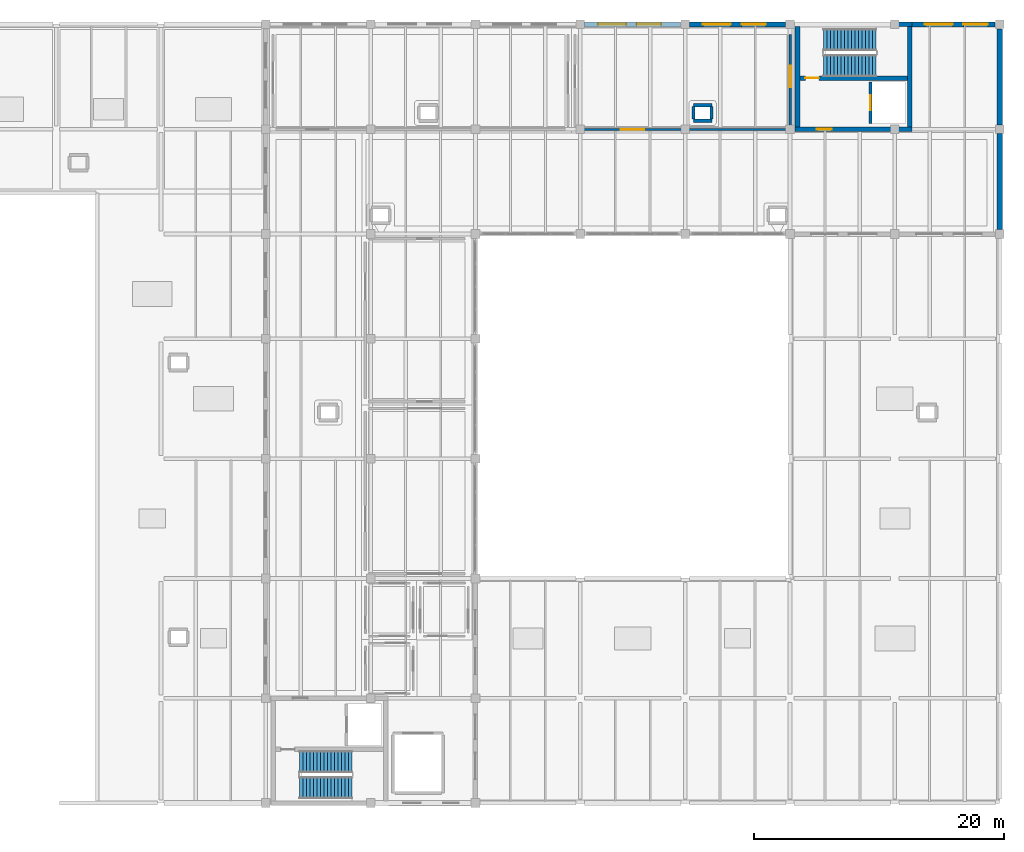
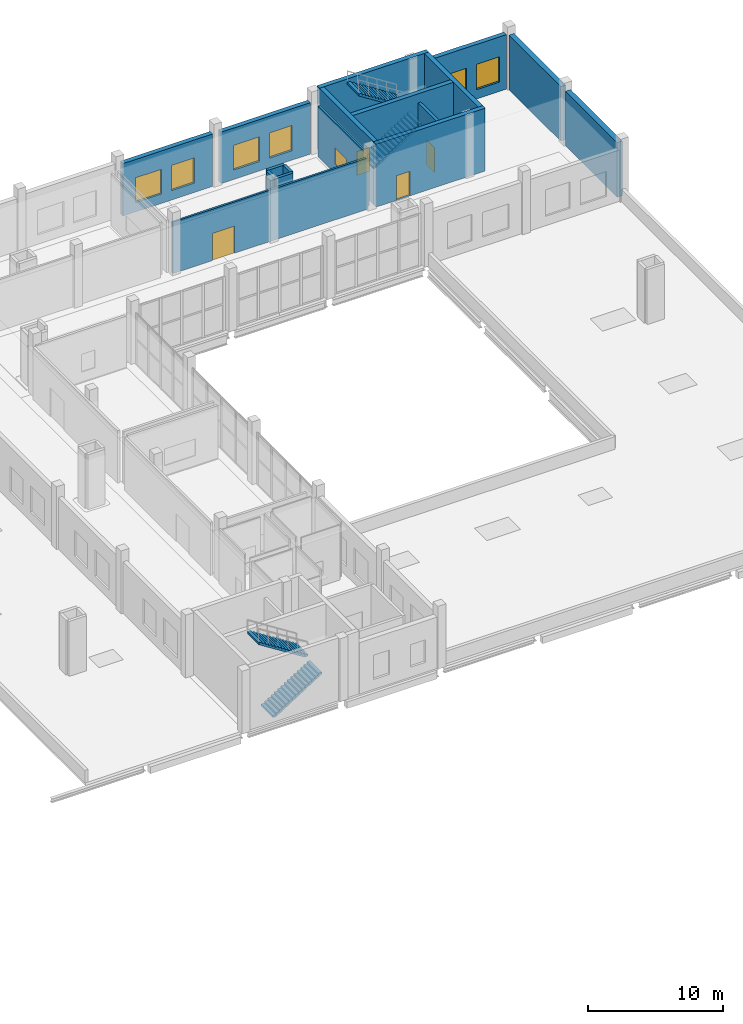
# One storey, part 43 of 49: 17 walls, 7 windows, 4 doors, 4 stair flights, 11 openings, 2 elements without a shape of their own.
"""IFC4 building model written with IfcOpenShell, lengths in metres."""

from ifc_helpers import new_model, si_unit, direction, frame, frame_2d, origin, place, context, subcontext, project, spatial, polyline, rectangle, outline, extrude, material, layer, layer_set, type_object, element, fill, aggregate, save


model = new_model("IFC4")

# Units and contexts
model_context = context("Model", 3, precision=1e-05, world=origin(), true_north=direction((0.0, 1.0)))
body_context = subcontext(model_context, "Body", "Model", "MODEL_VIEW")
ifc_project = project(units=[si_unit("LENGTHUNIT", "METRE"), si_unit("AREAUNIT", "SQUARE_METRE"), si_unit("VOLUMEUNIT", "CUBIC_METRE"), si_unit("PLANEANGLEUNIT", "RADIAN"), si_unit("MASSUNIT", "GRAM", prefix="KILO")], contexts=[model_context])

# Site, building, storey
site_placement = place(None, origin())
site = spatial("IfcSite", under=ifc_project, at=site_placement, CompositionType="ELEMENT")
building_placement = place(site_placement, origin())
building = spatial("IfcBuilding", under=site, at=building_placement, Name="Zulmaris Art Gallery", CompositionType="ELEMENT")
storey_placement = place(building_placement, frame((0.0, 0.0, 20.699951171875)))
storey = spatial("IfcBuildingStorey", under=building, at=storey_placement, Name="L04", CompositionType="ELEMENT", Elevation=20.699951171875)

# Walls
ifc_material_1 = material(Name="Omani Cream Limestone Ashlar Masonry", Category="masonry")
ifc_layer_1 = layer(ifc_material_1, 0.43994140625)
ifc_layer_set_1 = layer_set([ifc_layer_1], Name="Omani Cream Limestone Ashlar Masonry")
wall_type_1 = type_object("IfcWallType", Name="ENV-WALL-EW01", PredefinedType="SOLIDWALL", material=ifc_layer_set_1)
wall_1_placement = place(storey_placement, frame((200.39990234375, 59.152099609375, 0.0), z_axis=(0.0, 0.0, 1.0), x_axis=(0.0, 1.0, 0.0)))
element("IfcWall", 1, at=wall_1_placement, inside=storey, type_object=wall_type_1, Name="L04 V5 East Infill Party Wall", PredefinedType="SOLIDWALL", context=body_context, shape_type="SweptSolid", body=[
    extrude(rectangle(XDim=7.69580078125, YDim=0.43994140625, at=frame_2d((3.847900390625, 0.0))), origin(), (0.0, 0.0, 1.0), 4.949951171875),
])
wall_2_placement = place(storey_placement, frame((200.39990234375, 67.552001953125, 0.0), z_axis=(0.0, 0.0, 1.0), x_axis=(0.0, 1.0, 0.0)))
element("IfcWall", 2, at=wall_2_placement, inside=storey, type_object=wall_type_1, Name="L04 V5 East Infill Party Wall", PredefinedType="SOLIDWALL", context=body_context, shape_type="SweptSolid", body=[
    extrude(rectangle(XDim=7.696044921875, YDim=0.43994140625, at=frame_2d((3.84814453125, 0.0))), origin(), (0.0, 0.0, 1.0), 4.949951171875),
])

# Wall, openings, windows
ifc_material_2 = material(Name="Omani Desert Rose Limestone Cladding Wall", Category="masonry")
ifc_layer_2 = layer(ifc_material_2, 0.389892578125)
ifc_layer_set_2 = layer_set([ifc_layer_2], Name="Omani Desert Rose Limestone Cladding Wall")
wall_type_2 = type_object("IfcWallType", Name="ENV-WALL-EW02", PredefinedType="SOLIDWALL", material=ifc_layer_set_2)
wall_3_placement = place(storey_placement, frame((167.152099609375, 75.60009765625, 0.0), z_axis=(0.0, 0.0, 1.0), x_axis=(1.0, 0.0, 0.0)))
wall_3 = element("IfcWall", 3, at=wall_3_placement, inside=storey, type_object=wall_type_2, Name="L04 V5 North Studio Daylight Facade Bay 4", PredefinedType="SOLIDWALL", context=body_context, shape_type="SweptSolid", body=[
    extrude(rectangle(XDim=7.69580078125, YDim=0.389892578125, at=frame_2d((3.847900390625, 0.0))), origin(), (0.0, 0.0, 1.0), 4.760009765625),
])
opening_1_placement = place(wall_3_placement, frame((1.068115234375, 0.0, 0.85009765625)))
opening_1 = element("IfcOpeningElement", 4, at=opening_1_placement, cuts=wall_3, Name="Opening W09", PredefinedType="OPENING", context=body_context, shape_type="SweptSolid", body=[
    extrude(rectangle(XDim=2.25, YDim=2.25, at=frame_2d((1.125, 1.125))), frame((0.0, 0.204833984375, 0.0), z_axis=(0.0, -1.0, 0.0), x_axis=(1.0, 0.0, 0.0)), (0.0, 0.0, 1.0), 0.409912109375),
])
opening_2_placement = place(wall_3_placement, frame((4.16796875, 0.0, 0.85009765625)))
opening_2 = element("IfcOpeningElement", 5, at=opening_2_placement, cuts=wall_3, Name="Opening W08", PredefinedType="OPENING", context=body_context, shape_type="SweptSolid", body=[
    extrude(rectangle(XDim=1.949951171875, YDim=2.300048828125, at=frame_2d((0.97509765625, 1.14990234375))), frame((0.0, 0.204833984375, 0.0), z_axis=(0.0, -1.0, 0.0), x_axis=(1.0, 0.0, 0.0)), (0.0, 0.0, 1.0), 0.409912109375),
])
ifc_material_3 = material(Name="Curatorial North Studio Window", Category="glass")
window_type_1 = type_object("IfcWindowType", Name="WIN-W08", PartitioningType="SINGLE_PANEL", PredefinedType="WINDOW", material=ifc_material_3)
window_1_placement = place(opening_2_placement, origin())
window_1 = element("IfcWindow", 6, at=window_1_placement, inside=storey, type_object=window_type_1, Name="L04 exterior window W08", OverallHeight=2.300048828125, OverallWidth=1.949951171875, PartitioningType="SINGLE_PANEL", PredefinedType="WINDOW", context=body_context, shape_type="SweptSolid", body=[
    extrude(rectangle(XDim=1.949951171875, YDim=2.300048828125, at=frame_2d((0.97509765625, 1.14990234375))), frame((0.0, 0.030029296875, 0.0), z_axis=(0.0, -1.0, 0.0), x_axis=(1.0, 0.0, 0.0)), (0.0, 0.0, 1.0), 0.06005859375),
])
fill(opening_2, window_1)
ifc_material_4 = material(Name="Fellowship Library Daylight Window", Category="glass")
window_type_2 = type_object("IfcWindowType", Name="WIN-W09", PartitioningType="SINGLE_PANEL", PredefinedType="WINDOW", material=ifc_material_4)
window_2_placement = place(opening_1_placement, origin())
window_2 = element("IfcWindow", 7, at=window_2_placement, inside=storey, type_object=window_type_2, Name="L04 exterior window W09", OverallHeight=2.25, OverallWidth=2.25, PartitioningType="SINGLE_PANEL", PredefinedType="WINDOW", context=body_context, shape_type="SweptSolid", body=[
    extrude(rectangle(XDim=2.25, YDim=2.25, at=frame_2d((1.125, 1.125))), frame((0.0, 0.030029296875, 0.0), z_axis=(0.0, -1.0, 0.0), x_axis=(1.0, 0.0, 0.0)), (0.0, 0.0, 1.0), 0.06005859375),
])
fill(opening_1, window_2)

wall_4_placement = place(storey_placement, frame((175.552001953125, 75.60009765625, 0.0), z_axis=(0.0, 0.0, 1.0), x_axis=(1.0, 0.0, 0.0)))
wall_4 = element("IfcWall", 8, at=wall_4_placement, inside=storey, type_object=wall_type_2, Name="L04 V5 North Studio Daylight Facade Bay 5", PredefinedType="SOLIDWALL", context=body_context, shape_type="SweptSolid", body=[
    extrude(rectangle(XDim=7.696044921875, YDim=0.389892578125, at=frame_2d((3.84814453125, 0.0))), origin(), (0.0, 0.0, 1.0), 4.66015625),
])
opening_3_placement = place(wall_4_placement, frame((1.068115234375, 0.0, 0.85009765625)))
opening_3 = element("IfcOpeningElement", 9, at=opening_3_placement, cuts=wall_4, Name="Opening W09", PredefinedType="OPENING", context=body_context, shape_type="SweptSolid", body=[
    extrude(rectangle(XDim=2.25, YDim=2.25, at=frame_2d((1.125, 1.125))), frame((0.0, 0.204833984375, 0.0), z_axis=(0.0, -1.0, 0.0), x_axis=(1.0, 0.0, 0.0)), (0.0, 0.0, 1.0), 0.409912109375),
])
opening_4_placement = place(wall_4_placement, frame((4.16796875, 0.0, 0.85009765625)))
opening_4 = element("IfcOpeningElement", 10, at=opening_4_placement, cuts=wall_4, Name="Opening W08", PredefinedType="OPENING", context=body_context, shape_type="SweptSolid", body=[
    extrude(rectangle(XDim=1.949951171875, YDim=2.300048828125, at=frame_2d((0.97509765625, 1.14990234375))), frame((0.0, 0.204833984375, 0.0), z_axis=(0.0, -1.0, 0.0), x_axis=(1.0, 0.0, 0.0)), (0.0, 0.0, 1.0), 0.409912109375),
])
window_3_placement = place(opening_4_placement, origin())
window_3 = element("IfcWindow", 11, at=window_3_placement, inside=storey, type_object=window_type_1, Name="L04 exterior window W08", OverallHeight=2.300048828125, OverallWidth=1.949951171875, PartitioningType="SINGLE_PANEL", PredefinedType="WINDOW", context=body_context, shape_type="SweptSolid", body=[
    extrude(rectangle(XDim=1.949951171875, YDim=2.300048828125, at=frame_2d((0.97509765625, 1.14990234375))), frame((0.0, 0.030029296875, 0.0), z_axis=(0.0, -1.0, 0.0), x_axis=(1.0, 0.0, 0.0)), (0.0, 0.0, 1.0), 0.06005859375),
])
fill(opening_4, window_3)
window_4_placement = place(opening_3_placement, origin())
window_4 = element("IfcWindow", 12, at=window_4_placement, inside=storey, type_object=window_type_2, Name="L04 exterior window W09", OverallHeight=2.25, OverallWidth=2.25, PartitioningType="SINGLE_PANEL", PredefinedType="WINDOW", context=body_context, shape_type="SweptSolid", body=[
    extrude(rectangle(XDim=2.25, YDim=2.25, at=frame_2d((1.125, 1.125))), frame((0.0, 0.030029296875, 0.0), z_axis=(0.0, -1.0, 0.0), x_axis=(1.0, 0.0, 0.0)), (0.0, 0.0, 1.0), 0.06005859375),
])
fill(opening_3, window_4)

wall_5_placement = place(storey_placement, frame((193.39208984375, 75.60009765625, 0.0), z_axis=(0.0, 0.0, 1.0), x_axis=(1.0, 0.0, 0.0)))
wall_5 = element("IfcWall", 13, at=wall_5_placement, inside=storey, type_object=wall_type_2, Name="L04 V5 North Studio Daylight Facade Bay 7", PredefinedType="SOLIDWALL", context=body_context, shape_type="SweptSolid", body=[
    extrude(rectangle(XDim=6.656005859375, YDim=0.389892578125, at=frame_2d((3.328125, 0.0))), origin(), (0.0, 0.0, 1.0), 4.949951171875),
])
opening_5_placement = place(wall_5_placement, frame((1.008056640625, 0.0, 0.85009765625)))
opening_5 = element("IfcOpeningElement", 14, at=opening_5_placement, cuts=wall_5, Name="Opening W09", PredefinedType="OPENING", context=body_context, shape_type="SweptSolid", body=[
    extrude(rectangle(XDim=2.25, YDim=2.25, at=frame_2d((1.125, 1.125))), frame((0.0, 0.204833984375, 0.0), z_axis=(0.0, -1.0, 0.0), x_axis=(1.0, 0.0, 0.0)), (0.0, 0.0, 1.0), 0.409912109375),
])
opening_6_placement = place(wall_5_placement, frame((4.10791015625, 0.0, 0.85009765625)))
opening_6 = element("IfcOpeningElement", 15, at=opening_6_placement, cuts=wall_5, Name="Opening W08", PredefinedType="OPENING", context=body_context, shape_type="SweptSolid", body=[
    extrude(rectangle(XDim=1.949951171875, YDim=2.300048828125, at=frame_2d((0.97509765625, 1.14990234375))), frame((0.0, 0.204833984375, 0.0), z_axis=(0.0, -1.0, 0.0), x_axis=(1.0, 0.0, 0.0)), (0.0, 0.0, 1.0), 0.409912109375),
])
window_5_placement = place(opening_6_placement, origin())
window_5 = element("IfcWindow", 16, at=window_5_placement, inside=storey, type_object=window_type_1, Name="L04 exterior window W08", OverallHeight=2.300048828125, OverallWidth=1.949951171875, PartitioningType="SINGLE_PANEL", PredefinedType="WINDOW", context=body_context, shape_type="SweptSolid", body=[
    extrude(rectangle(XDim=1.949951171875, YDim=2.300048828125, at=frame_2d((0.97509765625, 1.14990234375))), frame((0.0, 0.030029296875, 0.0), z_axis=(0.0, -1.0, 0.0), x_axis=(1.0, 0.0, 0.0)), (0.0, 0.0, 1.0), 0.06005859375),
])
fill(opening_6, window_5)
window_6_placement = place(opening_5_placement, origin())
window_6 = element("IfcWindow", 17, at=window_6_placement, inside=storey, type_object=window_type_2, Name="L04 exterior window W09", OverallHeight=2.25, OverallWidth=2.25, PartitioningType="SINGLE_PANEL", PredefinedType="WINDOW", context=body_context, shape_type="SweptSolid", body=[
    extrude(rectangle(XDim=2.25, YDim=2.25, at=frame_2d((1.125, 1.125))), frame((0.0, 0.030029296875, 0.0), z_axis=(0.0, -1.0, 0.0), x_axis=(1.0, 0.0, 0.0)), (0.0, 0.0, 1.0), 0.06005859375),
])
fill(opening_5, window_6)

# Wall, opening, door
ifc_material_5 = material(Name="Acoustic Studio Separation Partition", Category="gypsum")
ifc_layer_3 = layer(ifc_material_5, 0.175048828125)
ifc_layer_set_3 = layer_set([ifc_layer_3], Name="Acoustic Studio Separation Partition")
wall_type_3 = type_object("IfcWallType", Name="IWALL-PW06", PredefinedType="PARTITIONING", material=ifc_layer_set_3)
wall_6_placement = place(storey_placement, frame((166.6298828125, 67.179931640625, 0.0), z_axis=(0.0, 0.0, 1.0), x_axis=(1.0, 0.0, 0.0)))
wall_6 = element("IfcWall", 18, at=wall_6_placement, inside=storey, type_object=wall_type_3, Name="Resident Artists' Studio 2 (Mixed Media) S partition", PredefinedType="PARTITIONING", context=body_context, shape_type="SweptSolid", body=[
    extrude(rectangle(XDim=16.740234375, YDim=0.175048828125, at=frame_2d((8.3701171875, 0.0))), origin(), (0.0, 0.0, 1.0), 4.66015625),
])
opening_7_placement = place(wall_6_placement, frame((3.39990234375, 0.0, 0.0)))
opening_7 = element("IfcOpeningElement", 19, at=opening_7_placement, cuts=wall_6, Name="Opening D16", PredefinedType="OPENING", context=body_context, shape_type="SweptSolid", body=[
    extrude(rectangle(XDim=1.8798828125, YDim=2.4599609375, at=frame_2d((0.93994140625, 1.22998046875))), frame((0.0, 0.097412109375, 0.0), z_axis=(0.0, -1.0, 0.0), x_axis=(1.0, 0.0, 0.0)), (0.0, 0.0, 1.0), 0.195068359375),
])
ifc_material_6 = material(Name="Learning & Library Double Door", Category="timber")
door_type_1 = type_object("IfcDoorType", Name="IDOOR-D16", OperationType="DOUBLE_SWING_RIGHT", PredefinedType="DOOR", material=ifc_material_6)
door_1_placement = place(opening_7_placement, origin())
door_1 = element("IfcDoor", 20, at=door_1_placement, inside=storey, type_object=door_type_1, Name="Resident Artists' Studio 2 (Mixed Media) Door", OperationType="DOUBLE_SWING_RIGHT", OverallHeight=2.4599609375, OverallWidth=1.8798828125, PredefinedType="DOOR", context=body_context, shape_type="SweptSolid", body=[
    extrude(rectangle(XDim=1.8798828125, YDim=2.4599609375, at=frame_2d((0.93994140625, 1.22998046875))), frame((0.0, 0.02490234375, 0.0), z_axis=(0.0, -1.0, 0.0), x_axis=(1.0, 0.0, 0.0)), (0.0, 0.0, 1.0), 0.050048828125),
])
fill(opening_7, door_1)

# Wall, opening, window
wall_7_placement = place(storey_placement, frame((183.6201171875, 67.429931640625, 0.0), z_axis=(0.0, 0.0, 1.0), x_axis=(0.0, 1.0, 0.0)))
wall_7 = element("IfcWall", 21, at=wall_7_placement, inside=storey, type_object=wall_type_3, Name="Resident Artists' Studio 2 (Mixed Media) E partition", PredefinedType="PARTITIONING", context=body_context, shape_type="SweptSolid", body=[
    extrude(rectangle(XDim=7.340087890625, YDim=0.175048828125, at=frame_2d((3.669921875, 0.0))), origin(), (0.0, 0.0, 1.0), 4.66015625),
])
opening_8_placement = place(wall_7_placement, frame((3.14990234375, 0.0, 0.89990234375)))
opening_8 = element("IfcOpeningElement", 22, at=opening_8_placement, cuts=wall_7, Name="Opening IW06", PredefinedType="OPENING", context=body_context, shape_type="SweptSolid", body=[
    extrude(rectangle(XDim=1.719970703125, YDim=1.4599609375, at=frame_2d((0.85986328125, 0.72998046875))), frame((0.0, 0.097412109375, 0.0), z_axis=(0.0, -1.0, 0.0), x_axis=(1.0, 0.0, 0.0)), (0.0, 0.0, 1.0), 0.195068359375),
])
ifc_material_7 = material(Name="Library Reading Room Internal Glazing", Category="glass")
window_type_3 = type_object("IfcWindowType", Name="IWIN-IW06", PartitioningType="SINGLE_PANEL", PredefinedType="WINDOW", material=ifc_material_7)
window_7_placement = place(opening_8_placement, origin())
window_7 = element("IfcWindow", 23, at=window_7_placement, inside=storey, type_object=window_type_3, Name="L04 interior observation window IW06", OverallHeight=1.4599609375, OverallWidth=1.719970703125, PartitioningType="SINGLE_PANEL", PredefinedType="WINDOW", context=body_context, shape_type="SweptSolid", body=[
    extrude(rectangle(XDim=1.719970703125, YDim=1.4599609375, at=frame_2d((0.85986328125, 0.72998046875))), frame((0.0, 0.030029296875, 0.0), z_axis=(0.0, -1.0, 0.0), x_axis=(1.0, 0.0, 0.0)), (0.0, 0.0, 1.0), 0.06005859375),
])
fill(opening_8, window_7)

# Wall, opening, door
ifc_material_8 = material(Name="Core Lobby Fire-Resisting Masonry Wall", Category="masonry")
ifc_layer_4 = layer(ifc_material_8, 0.235107421875)
ifc_layer_set_4 = layer_set([ifc_layer_4], Name="Core Lobby Fire-Resisting Masonry Wall")
wall_type_4 = type_object("IfcWallType", Name="IWALL-PW10", PredefinedType="PARTITIONING", material=ifc_layer_set_4)
wall_8_placement = place(storey_placement, frame((190.050048828125, 67.64990234375, 0.0), z_axis=(0.0, 0.0, 1.0), x_axis=(0.0, 1.0, 0.0)))
wall_8 = element("IfcWall", 24, at=wall_8_placement, inside=storey, type_object=wall_type_4, Name="LF-F1 L04 lift shaft front wall", PredefinedType="PARTITIONING", context=body_context, shape_type="SweptSolid", body=[
    extrude(rectangle(XDim=3.330078125, YDim=0.235107421875, at=frame_2d((1.6650390625, 0.0))), origin(), (0.0, 0.0, 1.0), 4.97998046875),
])
opening_9_placement = place(wall_8_placement, frame((1.054931640625, 0.0, 0.0)))
opening_9 = element("IfcOpeningElement", 25, at=opening_9_placement, cuts=wall_8, Name="Opening LD02", PredefinedType="OPENING", context=body_context, shape_type="SweptSolid", body=[
    extrude(rectangle(XDim=1.219970703125, YDim=2.239990234375, at=frame_2d((0.60986328125, 1.1201171875))), frame((0.0, 0.12744140625, 0.0), z_axis=(0.0, -1.0, 0.0), x_axis=(1.0, 0.0, 0.0)), (0.0, 0.0, 1.0), 0.255126953125),
])
ifc_material_9 = material(Name="Firefighting Lift Sliding Landing Door", Category="steel")
door_type_2 = type_object("IfcDoorType", Name="IDOOR-LD02", OperationType="SLIDING_TO_RIGHT", PredefinedType="DOOR", material=ifc_material_9)
door_2_placement = place(opening_9_placement, origin())
door_2 = element("IfcDoor", 26, at=door_2_placement, inside=storey, type_object=door_type_2, Name="LF-F1 L04 Lift Landing Sliding Door", OperationType="SLIDING_TO_RIGHT", OverallHeight=2.239990234375, OverallWidth=1.219970703125, PredefinedType="DOOR", context=body_context, shape_type="SweptSolid", body=[
    extrude(rectangle(XDim=1.219970703125, YDim=2.239990234375, at=frame_2d((0.60986328125, 1.1201171875))), frame((0.0, 0.02490234375, 0.0), z_axis=(0.0, -1.0, 0.0), x_axis=(1.0, 0.0, 0.0)), (0.0, 0.0, 1.0), 0.050048828125),
])
fill(opening_9, door_2)

# Walls
ifc_material_10 = material(Name="MEP Riser & Smoke Shaft Enclosure Wall", Category="masonry")
ifc_layer_5 = layer(ifc_material_10, 0.2548828125)
ifc_layer_set_5 = layer_set([ifc_layer_5], Name="MEP Riser & Smoke Shaft Enclosure Wall")
wall_type_5 = type_object("IfcWallType", Name="IWALL-PW11", PredefinedType="PARTITIONING", material=ifc_layer_set_5)
for number, where, z_axis, x_axis, name in (
    (27, (175.860107421875, 69.1201171875, 0.0), (0.0, 0.0, 1.0), (1.0, 0.0, 0.0), "L04 MEP Riser 16 N wall"),
    (28, (175.860107421875, 67.8798828125, 0.0), (0.0, 0.0, 1.0), (1.0, 0.0, 0.0), "L04 MEP Riser 16 S wall"),
):
    element("IfcWall", number, at=place(storey_placement, frame(where, z_axis=z_axis, x_axis=x_axis)), inside=storey, type_object=wall_type_5, Name=name, PredefinedType="PARTITIONING", context=body_context, shape_type="SweptSolid", body=[
        extrude(rectangle(XDim=1.47998046875, YDim=0.2548828125, at=frame_2d((0.739990234375, 0.0))), origin(), (0.0, 0.0, 1.0), 4.97998046875),
    ])
for number, where, z_axis, x_axis, name in (
    (29, (175.8798828125, 68.0, 0.0), (0.0, 0.0, 1.0), (0.0, 1.0, 0.0), "L04 MEP Riser 16 W wall"),
    (30, (177.320068359375, 68.0, 0.0), (0.0, 0.0, 1.0), (0.0, 1.0, 0.0), "L04 MEP Riser 16 E wall"),
):
    element("IfcWall", number, at=place(storey_placement, frame(where, z_axis=z_axis, x_axis=x_axis)), inside=storey, type_object=wall_type_5, Name=name, PredefinedType="PARTITIONING", context=body_context, shape_type="SweptSolid", body=[
        extrude(rectangle(XDim=1.0, YDim=0.2548828125, at=frame_2d((0.5, 0.0))), origin(), (0.0, 0.0, 1.0), 4.97998046875),
    ])

# Wall, opening, door
ifc_material_11 = material(Name="Concrete C50/60", Category="concrete")
ifc_layer_6 = layer(ifc_material_11, 0.3798828125)
ifc_layer_set_6 = layer_set([ifc_layer_6], Name="Concrete C50/60")
wall_type_6 = type_object("IfcWallType", Name="STR-WALL-SW02", PredefinedType="SHEAR", material=ifc_layer_set_6)
wall_9_placement = place(storey_placement, frame((184.010009765625, 67.199951171875, 0.0), z_axis=(0.0, 0.0, 1.0), x_axis=(1.0, 0.0, 0.0)))
wall_9 = element("IfcWall", 31, at=wall_9_placement, inside=storey, type_object=wall_type_6, Name="Core C4 L04 S shear wall", PredefinedType="SHEAR", context=body_context, shape_type="SweptSolid", body=[
    extrude(rectangle(XDim=9.3798828125, YDim=0.3798828125, at=frame_2d((4.68994140625, 0.0))), origin(), (0.0, 0.0, 1.0), 5.699951171875),
])
opening_10_placement = place(wall_9_placement, frame((1.75, 0.0, 0.0)))
opening_10 = element("IfcOpeningElement", 32, at=opening_10_placement, cuts=wall_9, Name="Opening D08", PredefinedType="OPENING", context=body_context, shape_type="SweptSolid", body=[
    extrude(rectangle(XDim=1.179931640625, YDim=2.239990234375, at=frame_2d((0.58984375, 1.1201171875))), frame((0.0, 0.199951171875, 0.0), z_axis=(0.0, -1.0, 0.0), x_axis=(1.0, 0.0, 0.0)), (0.0, 0.0, 1.0), 0.39990234375),
])
ifc_material_12 = material(Name="Firefighting Lobby Compartment Door", Category="steel")
door_type_3 = type_object("IfcDoorType", Name="IDOOR-D08", OperationType="NOTDEFINED", PredefinedType="DOOR", material=ifc_material_12)
door_3_placement = place(opening_10_placement, origin())
door_3 = element("IfcDoor", 33, at=door_3_placement, inside=storey, type_object=door_type_3, Name="Core C4 L04 Lobby Compartment Door", OperationType="SINGLE_SWING_RIGHT", OverallHeight=2.239990234375, OverallWidth=1.179931640625, PredefinedType="DOOR", context=body_context, shape_type="SweptSolid", body=[
    extrude(rectangle(XDim=1.179931640625, YDim=2.239990234375, at=frame_2d((0.58984375, 1.1201171875))), frame((0.0, 0.02490234375, 0.0), z_axis=(0.0, -1.0, 0.0), x_axis=(1.0, 0.0, 0.0)), (0.0, 0.0, 1.0), 0.050048828125),
])
fill(opening_10, door_3)

# Walls
wall_10_placement = place(storey_placement, frame((184.010009765625, 75.60009765625, 0.0), z_axis=(0.0, 0.0, 1.0), x_axis=(1.0, 0.0, 0.0)))
element("IfcWall", 34, at=wall_10_placement, inside=storey, type_object=wall_type_6, Name="Core C4 L04 N shear wall", PredefinedType="SHEAR", context=body_context, shape_type="SweptSolid", body=[
    extrude(rectangle(XDim=9.3798828125, YDim=0.3798828125, at=frame_2d((4.68994140625, 0.0))), origin(), (0.0, 0.0, 1.0), 5.699951171875),
])
for number, where, z_axis, x_axis, name in (
    (35, (184.199951171875, 67.389892578125, 0.0), (0.0, 0.0, 1.0), (0.0, 1.0, 0.0), "Core C4 L04 W shear wall"),
    (36, (193.199951171875, 67.389892578125, 0.0), (0.0, 0.0, 1.0), (0.0, 1.0, 0.0), "Core C4 L04 E shear wall"),
):
    element("IfcWall", number, at=place(storey_placement, frame(where, z_axis=z_axis, x_axis=x_axis)), inside=storey, type_object=wall_type_6, Name=name, PredefinedType="SHEAR", context=body_context, shape_type="SweptSolid", body=[
        extrude(rectangle(XDim=8.02001953125, YDim=0.3798828125, at=frame_2d((4.010009765625, 0.0))), origin(), (0.0, 0.0, 1.0), 5.699951171875),
    ])

# Wall, opening, door
wall_11_placement = place(storey_placement, frame((184.389892578125, 71.2900390625, 0.0), z_axis=(0.0, 0.0, 1.0), x_axis=(1.0, 0.0, 0.0)))
wall_11 = element("IfcWall", 37, at=wall_11_placement, inside=storey, type_object=wall_type_6, Name="Core C4 L04 DIV shear wall", PredefinedType="SHEAR", context=body_context, shape_type="SweptSolid", body=[
    extrude(rectangle(XDim=8.6201171875, YDim=0.3798828125, at=frame_2d((4.31005859375, 0.0))), origin(), (0.0, 0.0, 1.0), 5.699951171875),
])
opening_11_placement = place(wall_11_placement, frame((0.449951171875, 0.0, 0.0)))
opening_11 = element("IfcOpeningElement", 38, at=opening_11_placement, cuts=wall_11, Name="Opening D07", PredefinedType="OPENING", context=body_context, shape_type="SweptSolid", body=[
    extrude(rectangle(XDim=1.080078125, YDim=2.179931640625, at=frame_2d((0.5400390625, 1.08984375))), frame((0.0, 0.199951171875, 0.0), z_axis=(0.0, -1.0, 0.0), x_axis=(1.0, 0.0, 0.0)), (0.0, 0.0, 1.0), 0.39990234375),
])
ifc_material_13 = material(Name="Stairwell Fire Escape Door", Category="steel")
door_type_4 = type_object("IfcDoorType", Name="IDOOR-D07", OperationType="NOTDEFINED", PredefinedType="DOOR", material=ifc_material_13)
door_4_placement = place(opening_11_placement, origin())
door_4 = element("IfcDoor", 39, at=door_4_placement, inside=storey, type_object=door_type_4, Name="Core C4 L04 Stair ST4 Fire Door", OperationType="SINGLE_SWING_LEFT", OverallHeight=2.179931640625, OverallWidth=1.080078125, PredefinedType="DOOR", context=body_context, shape_type="SweptSolid", body=[
    extrude(rectangle(XDim=1.080078125, YDim=2.179931640625, at=frame_2d((0.5400390625, 1.08984375))), frame((0.0, 0.02490234375, 0.0), z_axis=(0.0, -1.0, 0.0), x_axis=(1.0, 0.0, 0.0)), (0.0, 0.0, 1.0), 0.050048828125),
])
fill(opening_11, door_4)

# Stair, stair flights
ifc_material_14 = material(Name="Concrete C40/50", Category="concrete")
stair_type = type_object("IfcStairType", Name="STAIR-CORE", PredefinedType="HALF_TURN_STAIR", material=ifc_material_14)
stair_1_placement = place(storey_placement, origin())
stair_1 = element("IfcStair", 40, at=stair_1_placement, inside=storey, type_object=stair_type, Name="L04 Exit Stair ST3", PredefinedType="HALF_TURN_STAIR")
stair_flight_type = type_object("IfcStairFlightType", Name="STFLT-CORE", PredefinedType="STRAIGHT", material=ifc_material_14)
stair_flight_1_placement = place(storey_placement, frame((144.300048828125, 14.425048828125, 0.0), z_axis=(0.0, 0.0, 1.0), x_axis=(1.0, 0.0, 0.0)))
stair_flight_1 = element("IfcStairFlight", 41, at=stair_flight_1_placement, type_object=stair_flight_type, Name="ST3 flight 1", NumberOfRisers=16, NumberOfTreads=15, PredefinedType="STRAIGHT", RiserHeight=0.178125, TreadLength=0.28, context=body_context, shape_type="SweptSolid", body=[
    extrude(outline(polyline([(0.0, 0.0), (0.0, 0.17822265625), (0.280029296875, 0.17822265625), (0.280029296875, 0.356201171875), (0.56005859375, 0.356201171875), (0.56005859375, 0.534423828125), (0.840087890625, 0.534423828125), (0.840087890625, 0.71240234375), (1.1201171875, 0.71240234375), (1.1201171875, 0.890625), (1.39990234375, 0.890625), (1.39990234375, 1.06884765625), (1.679931640625, 1.06884765625), (1.679931640625, 1.246826171875), (1.9599609375, 1.246826171875), (1.9599609375, 1.425048828125), (2.239990234375, 1.425048828125), (2.239990234375, 1.60302734375), (2.52001953125, 1.60302734375), (2.52001953125, 1.78125), (2.800048828125, 1.78125), (2.800048828125, 1.95947265625), (3.080078125, 1.95947265625), (3.080078125, 2.137451171875), (3.360107421875, 2.137451171875), (3.360107421875, 2.315673828125), (3.639892578125, 2.315673828125), (3.639892578125, 2.49365234375), (3.919921875, 2.49365234375), (3.919921875, 2.671875), (4.199951171875, 2.671875), (4.199951171875, 2.85009765625), (4.199951171875, 2.494140625), (0.279296875, 0.0), (0.0, 0.0)])), frame((0.0, 0.875, 0.0), z_axis=(0.0, -1.0, 0.0), x_axis=(1.0, 0.0, 0.0)), (0.0, 0.0, 1.0), 1.75),
])
stair_flight_2_placement = place(storey_placement, frame((148.5, 16.514892578125, 2.85009765625), z_axis=(0.0, 0.0, 1.0), x_axis=(-1.0, 0.0, 0.0)))
stair_flight_2 = element("IfcStairFlight", 42, at=stair_flight_2_placement, type_object=stair_flight_type, Name="ST3 flight 2", NumberOfRisers=16, NumberOfTreads=15, PredefinedType="STRAIGHT", RiserHeight=0.178125, TreadLength=0.28, context=body_context, shape_type="SweptSolid", body=[
    extrude(outline(polyline([(0.0, 0.0), (0.0, 0.17822265625), (0.280029296875, 0.17822265625), (0.280029296875, 0.356201171875), (0.56005859375, 0.356201171875), (0.56005859375, 0.534423828125), (0.840087890625, 0.534423828125), (0.840087890625, 0.71240234375), (1.1201171875, 0.71240234375), (1.1201171875, 0.890625), (1.39990234375, 0.890625), (1.39990234375, 1.06884765625), (1.679931640625, 1.06884765625), (1.679931640625, 1.246826171875), (1.9599609375, 1.246826171875), (1.9599609375, 1.425048828125), (2.239990234375, 1.425048828125), (2.239990234375, 1.60302734375), (2.52001953125, 1.60302734375), (2.52001953125, 1.78125), (2.800048828125, 1.78125), (2.800048828125, 1.95947265625), (3.080078125, 1.95947265625), (3.080078125, 2.137451171875), (3.360107421875, 2.137451171875), (3.360107421875, 2.315673828125), (3.639892578125, 2.315673828125), (3.639892578125, 2.49365234375), (3.919921875, 2.49365234375), (3.919921875, 2.671875), (4.199951171875, 2.671875), (4.199951171875, 2.85009765625), (4.199951171875, 2.494140625), (0.279296875, 0.0), (0.0, 0.0)])), frame((0.0, 0.875, 0.0), z_axis=(0.0, -1.0, 0.0), x_axis=(1.0, 0.0, 0.0)), (0.0, 0.0, 1.0), 1.75),
])
aggregate(stair_1, [stair_flight_1, stair_flight_2])

stair_2_placement = place(storey_placement, origin())
stair_2 = element("IfcStair", 43, at=stair_2_placement, inside=storey, type_object=stair_type, Name="L04 Exit Stair ST4", PredefinedType="HALF_TURN_STAIR")
stair_flight_3_placement = place(storey_placement, frame((186.300048828125, 72.284912109375, 0.0), z_axis=(0.0, 0.0, 1.0), x_axis=(1.0, 0.0, 0.0)))
stair_flight_3 = element("IfcStairFlight", 44, at=stair_flight_3_placement, type_object=stair_flight_type, Name="ST4 flight 1", NumberOfRisers=16, NumberOfTreads=15, PredefinedType="STRAIGHT", RiserHeight=0.178125, TreadLength=0.28, context=body_context, shape_type="SweptSolid", body=[
    extrude(outline(polyline([(0.0, 0.0), (0.0, 0.17822265625), (0.280029296875, 0.17822265625), (0.280029296875, 0.356201171875), (0.56005859375, 0.356201171875), (0.56005859375, 0.534423828125), (0.840087890625, 0.534423828125), (0.840087890625, 0.71240234375), (1.1201171875, 0.71240234375), (1.1201171875, 0.890625), (1.39990234375, 0.890625), (1.39990234375, 1.06884765625), (1.679931640625, 1.06884765625), (1.679931640625, 1.246826171875), (1.9599609375, 1.246826171875), (1.9599609375, 1.425048828125), (2.239990234375, 1.425048828125), (2.239990234375, 1.60302734375), (2.52001953125, 1.60302734375), (2.52001953125, 1.78125), (2.800048828125, 1.78125), (2.800048828125, 1.95947265625), (3.080078125, 1.95947265625), (3.080078125, 2.137451171875), (3.360107421875, 2.137451171875), (3.360107421875, 2.315673828125), (3.639892578125, 2.315673828125), (3.639892578125, 2.49365234375), (3.919921875, 2.49365234375), (3.919921875, 2.671875), (4.199951171875, 2.671875), (4.199951171875, 2.85009765625), (4.199951171875, 2.494140625), (0.279296875, 0.0), (0.0, 0.0)])), frame((0.0, 0.875, 0.0), z_axis=(0.0, -1.0, 0.0), x_axis=(1.0, 0.0, 0.0)), (0.0, 0.0, 1.0), 1.75),
])
stair_flight_4_placement = place(storey_placement, frame((190.5, 74.375, 2.85009765625), z_axis=(0.0, 0.0, 1.0), x_axis=(-1.0, 0.0, 0.0)))
stair_flight_4 = element("IfcStairFlight", 45, at=stair_flight_4_placement, type_object=stair_flight_type, Name="ST4 flight 2", NumberOfRisers=16, NumberOfTreads=15, PredefinedType="STRAIGHT", RiserHeight=0.178125, TreadLength=0.28, context=body_context, shape_type="SweptSolid", body=[
    extrude(outline(polyline([(0.0, 0.0), (0.0, 0.17822265625), (0.280029296875, 0.17822265625), (0.280029296875, 0.356201171875), (0.56005859375, 0.356201171875), (0.56005859375, 0.534423828125), (0.840087890625, 0.534423828125), (0.840087890625, 0.71240234375), (1.1201171875, 0.71240234375), (1.1201171875, 0.890625), (1.39990234375, 0.890625), (1.39990234375, 1.06884765625), (1.679931640625, 1.06884765625), (1.679931640625, 1.246826171875), (1.9599609375, 1.246826171875), (1.9599609375, 1.425048828125), (2.239990234375, 1.425048828125), (2.239990234375, 1.60302734375), (2.52001953125, 1.60302734375), (2.52001953125, 1.78125), (2.800048828125, 1.78125), (2.800048828125, 1.95947265625), (3.080078125, 1.95947265625), (3.080078125, 2.137451171875), (3.360107421875, 2.137451171875), (3.360107421875, 2.315673828125), (3.639892578125, 2.315673828125), (3.639892578125, 2.49365234375), (3.919921875, 2.49365234375), (3.919921875, 2.671875), (4.199951171875, 2.671875), (4.199951171875, 2.85009765625), (4.199951171875, 2.494140625), (0.279296875, 0.0), (0.0, 0.0)])), frame((0.0, 0.875, 0.0), z_axis=(0.0, -1.0, 0.0), x_axis=(1.0, 0.0, 0.0)), (0.0, 0.0, 1.0), 1.75),
])
aggregate(stair_2, [stair_flight_3, stair_flight_4])

save(model, "model.ifc")
